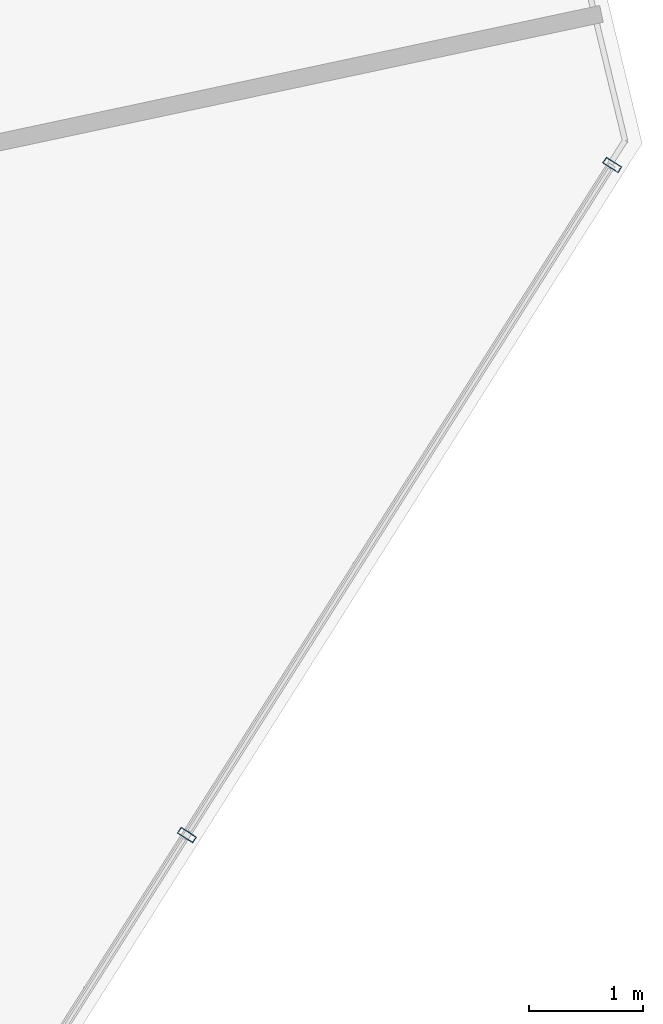
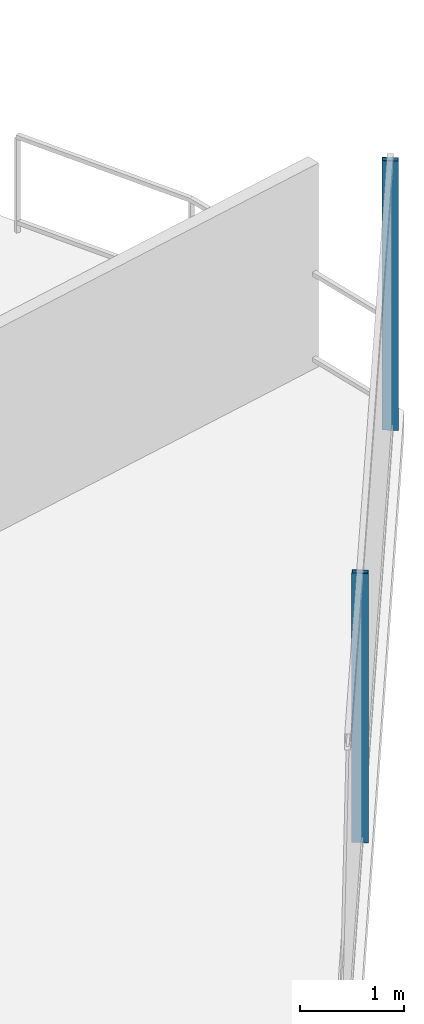
# One storey, part 14 of 30: 2 members, 1 element without a shape of its own.
"""IFC4 building model written with IfcOpenShell, lengths in metres."""

from ifc_helpers import new_model, si_unit, direction, frame, origin, origin_2d, place, context, subcontext, project, spatial, hollow_rectangle, extrude, material, layer, layer_set, material_profile, profile_set, type_object, element, aggregate, save


model = new_model("IFC4")

# Units and contexts
model_context = context("Model", 3, precision=1e-05, world=origin(), true_north=direction((0.0, 1.0)))
body_context = subcontext(model_context, "Body", "Model", "MODEL_VIEW")
ifc_project = project(units=[si_unit("LENGTHUNIT", "METRE"), si_unit("AREAUNIT", "SQUARE_METRE"), si_unit("VOLUMEUNIT", "CUBIC_METRE"), si_unit("PLANEANGLEUNIT", "RADIAN"), si_unit("MASSUNIT", "GRAM", prefix="KILO")], contexts=[model_context])

# Site, building, storey
site_placement = place(None, origin())
site = spatial("IfcSite", under=ifc_project, at=site_placement, CompositionType="ELEMENT")
building_placement = place(site_placement, origin())
building = spatial("IfcBuilding", under=site, at=building_placement, Name="Qarnah Convention Tower", CompositionType="ELEMENT")
storey_placement = place(building_placement, frame((0.0, 0.0, 58.050048828125)))
storey = spatial("IfcBuildingStorey", under=building, at=storey_placement, Name="L14", CompositionType="ELEMENT", Elevation=58.050048828125)

# Curtain wall, members
ifc_material_1 = material(Name="Tempered Low-E dark glass", Category="glass")
ifc_layer = layer(ifc_material_1, 0.16796875)
ifc_layer_set = layer_set([ifc_layer], Name="Tempered Low-E dark glass")
curtain_wall_type = type_object("IfcCurtainWallType", Name="CWS-01", PredefinedType="NOTDEFINED", material=ifc_layer_set)
curtain_wall_placement = place(storey_placement, origin())
curtain_wall = element("IfcCurtainWall", 1, at=curtain_wall_placement, inside=storey, type_object=curtain_wall_type, Name="L14 unitised curtain wall CW-L14-F2", PredefinedType="NOTDEFINED")
ifc_material_2 = material(Name="Black anodised aluminium", Category="aluminium")
ifc_material_profile = material_profile(ifc_material_2, hollow_rectangle(XDim=0.06005859375, YDim=0.159912109375, WallThickness=0.00390625, at=origin_2d()), Name="MUL-60X160")
ifc_profile_set = profile_set([ifc_material_profile], Name="Black anodised aluminium")
member_type = type_object("IfcMemberType", Name="MUL-T1", PredefinedType="MULLION", material=ifc_profile_set)
member_1_placement = place(storey_placement, frame((63.3310546875, 30.6220703125, 0.0), z_axis=(0.0, 0.0, 1.0), x_axis=(-0.535844994188, -0.844316375658, 0.0)))
member_1 = element("IfcMember", 2, at=member_1_placement, type_object=member_type, Name="CW-L14-F2 mullion 1", PredefinedType="MULLION", context=body_context, shape_type="SweptSolid", body=[
    extrude(hollow_rectangle(XDim=0.06005859375, YDim=0.159912109375, WallThickness=0.00390625, at=origin_2d()), origin(), (0.0, 0.0, 1.0), 3.169921875),
])
member_2_placement = place(storey_placement, frame((59.614990234375, 24.766845703125, 0.0), z_axis=(0.0, 0.0, 1.0), x_axis=(-0.535844994188, -0.844316375658, 0.0)))
member_2 = element("IfcMember", 3, at=member_2_placement, type_object=member_type, Name="CW-L14-F2 mullion 2", PredefinedType="MULLION", context=body_context, shape_type="SweptSolid", body=[
    extrude(hollow_rectangle(XDim=0.06005859375, YDim=0.159912109375, WallThickness=0.00390625, at=origin_2d()), origin(), (0.0, 0.0, 1.0), 3.169921875),
])
aggregate(curtain_wall, [member_1, member_2])

save(model, "model.ifc")
